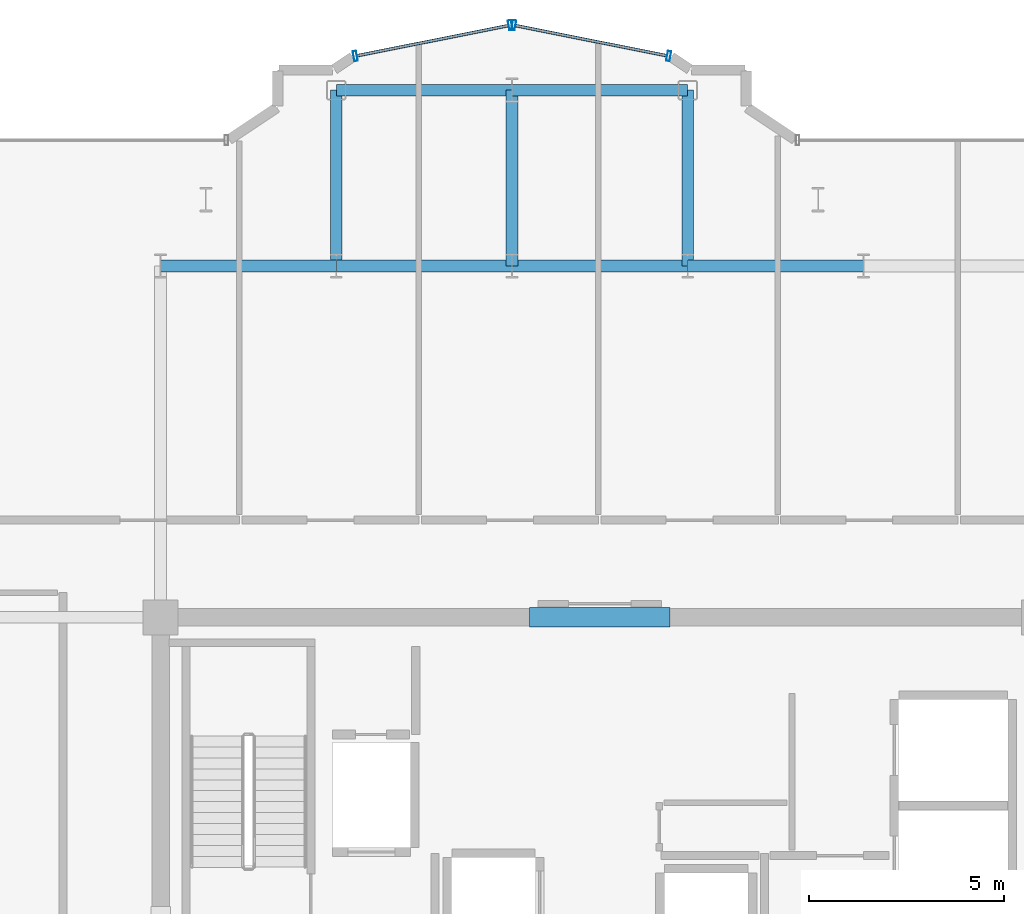
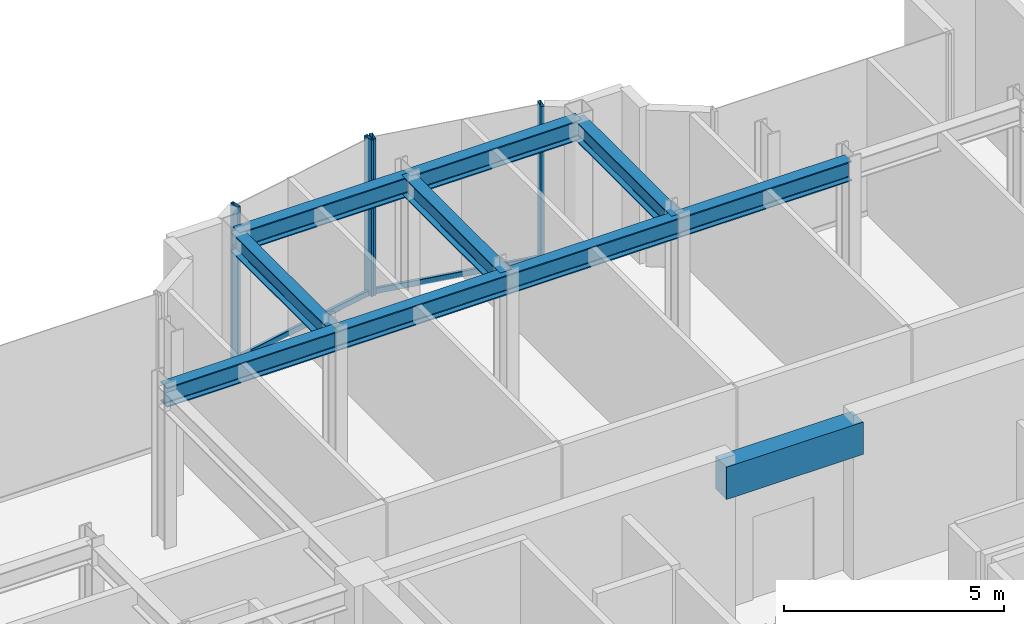
# One storey, part 10 of 18: 10 beams, 6 members, 2 elements without a shape of their own.
"""IFC4 building model written with IfcOpenShell, lengths in metres."""

from ifc_helpers import new_model, si_unit, direction, frame, origin, origin_2d, place, context, subcontext, project, spatial, rectangle, hollow_rectangle, i_section, extrude, source, transform, mapped, material, layer, layer_set, material_profile, profile_set, type_object, element, aggregate, save


model = new_model("IFC4")

# Units and contexts
model_context = context("Model", 3, precision=1e-05, world=origin(), true_north=direction((0.0, 1.0)))
body_context = subcontext(model_context, "Body", "Model", "MODEL_VIEW")
ifc_project = project(units=[si_unit("LENGTHUNIT", "METRE"), si_unit("AREAUNIT", "SQUARE_METRE"), si_unit("VOLUMEUNIT", "CUBIC_METRE"), si_unit("PLANEANGLEUNIT", "RADIAN"), si_unit("MASSUNIT", "GRAM", prefix="KILO")], contexts=[model_context])

# Site, building, storey
site_placement = place(None, origin())
site = spatial("IfcSite", under=ifc_project, at=site_placement, CompositionType="ELEMENT")
building_placement = place(site_placement, origin())
building = spatial("IfcBuilding", under=site, at=building_placement, Name="Nefas-Gora Pilgrimage Tower", CompositionType="ELEMENT")
storey_placement = place(building_placement, frame((0.0, 0.0, 317.800048828125)))
storey = spatial("IfcBuildingStorey", under=building, at=storey_placement, Name="L80", CompositionType="ELEMENT", Elevation=317.800048828125)

# Beams
ifc_material_1 = material(Name="Concrete C50/60", Category="concrete")
ifc_material_profile_1 = material_profile(ifc_material_1, rectangle(XDim=0.5, YDim=0.89990234375, at=origin_2d()), Name="RC 500x900")
ifc_profile_set_1 = profile_set([ifc_material_profile_1], Name="Concrete C50/60")
beam_type_1 = type_object("IfcBeamType", Name="BM-LIN-RC900", PredefinedType="LINTEL", material=ifc_profile_set_1)
shared_shape_1 = source(origin(), body_context, "Body", "SweptSolid", [
    extrude(rectangle(XDim=0.5, YDim=0.89990234375, at=origin_2d()), origin(), (0.0, 0.0, 1.0), 3.60009765625),
])
beam_placement = place(storey_placement, frame((-1.800048828125, 9.0, 3.89990234375), z_axis=(1.0, 0.0, 0.0), x_axis=(0.0, 1.0, 0.0)))
element("IfcBeam", 1, at=beam_placement, inside=storey, type_object=beam_type_1, Name="L80 Core Coupling Lintel Beam N", PredefinedType="LINTEL", context=body_context, shape_type="MappedRepresentation", body=[
    mapped(shared_shape_1, transform((0.0, 0.0, 0.0), x_axis=(1.0, 0.0, 0.0), y_axis=(0.0, 1.0, 0.0), z_axis=(0.0, 0.0, 1.0), scale=1.0)),
])
ifc_material_2 = material(Name="Steel S355", Category="steel")
ifc_material_profile_2 = material_profile(ifc_material_2, i_section(OverallWidth=0.300048828125, OverallDepth=0.550048828125, WebThickness=0.014892578125, FlangeThickness=0.029052734375, FilletRadius=0.027099609375, at=origin_2d()), Name="HEB 550")
ifc_profile_set_2 = profile_set([ifc_material_profile_2], Name="Steel S355")
beam_type_2 = type_object("IfcBeamType", Name="BM-GIR-HEB550", PredefinedType="BEAM", material=ifc_profile_set_2)
shared_shape_2 = source(origin(), body_context, "Body", "SweptSolid", [
    extrude(i_section(OverallWidth=0.300048828125, OverallDepth=0.550048828125, WebThickness=0.014892578125, FlangeThickness=0.029052734375, FilletRadius=0.027099609375, at=origin_2d()), origin(), (0.0, 0.0, 1.0), 4.5),
])
for number, where, z_axis, x_axis, name in (
    (2, (-11.25, 18.0, 4.074951171875), (1.0, 0.0, 0.0), (0.0, 1.0, 0.0), "L80 G-05 beam"),
    (3, (-6.75, 18.0, 4.074951171875), (0.0, 1.0, 0.0), (-1.0, 0.0, 0.0), "L80 G-05 beam"),
    (4, (-6.75, 18.0, 4.074951171875), (1.0, 0.0, 0.0), (0.0, 1.0, 0.0), "L80 G-05 beam"),
    (5, (-6.75, 22.5, 4.074951171875), (1.0, 0.0, 0.0), (0.0, 1.0, 0.0), "L80 G-05 beam"),
    (6, (-2.25, 18.0, 4.074951171875), (0.0, 1.0, 0.0), (-1.0, 0.0, 0.0), "L80 G-05 beam"),
    (7, (-2.25, 18.0, 4.074951171875), (1.0, 0.0, 0.0), (0.0, 1.0, 0.0), "L80 G-05 beam"),
    (8, (-2.25, 22.5, 4.074951171875), (1.0, 0.0, 0.0), (0.0, 1.0, 0.0), "L80 G-05 beam"),
    (9, (2.25, 18.0, 4.074951171875), (0.0, 1.0, 0.0), (-1.0, 0.0, 0.0), "L80 G-05 beam"),
    (10, (2.25, 18.0, 4.074951171875), (1.0, 0.0, 0.0), (0.0, 1.0, 0.0), "L80 G-05 beam"),
):
    element("IfcBeam", number, at=place(storey_placement, frame(where, z_axis=z_axis, x_axis=x_axis)), inside=storey, type_object=beam_type_2, Name=name, PredefinedType="BEAM", context=body_context, shape_type="MappedRepresentation", body=[
        mapped(shared_shape_2, transform((0.0, 0.0, 0.0), x_axis=(1.0, 0.0, 0.0), y_axis=(0.0, 1.0, 0.0), z_axis=(0.0, 0.0, 1.0), scale=1.0)),
    ])

# Curtain wall, member
ifc_material_3 = material(Name="Dark ceramic-fritted solar-control aluminium-glass curtain wall", Category="aluminium")
ifc_layer = layer(ifc_material_3, 0.219970703125)
ifc_layer_set = layer_set([ifc_layer], Name="Dark ceramic-fritted solar-control aluminium-glass curtain wall")
curtain_wall_type = type_object("IfcCurtainWallType", Name="CW-SYS-5", PredefinedType="NOTDEFINED", material=ifc_layer_set)
curtain_wall_1_placement = place(storey_placement, origin())
curtain_wall_1 = element("IfcCurtainWall", 11, at=curtain_wall_1_placement, inside=storey, type_object=curtain_wall_type, Name="L80 Unitised Curtain Wall CW5", PredefinedType="NOTDEFINED")
ifc_material_4 = material(Name="Anodised architectural aluminium", Category="aluminium")
ifc_material_profile_3 = material_profile(ifc_material_4, hollow_rectangle(XDim=0.080078125, YDim=0.159912109375, WallThickness=0.00439453125, InnerFilletRadius=0.00439453125, OuterFilletRadius=0.009033203125, at=origin_2d()), Name="ALU TRANSOM 80x160")
ifc_profile_set_3 = profile_set([ifc_material_profile_3], Name="Anodised architectural aluminium")
member_type_1 = type_object("IfcMemberType", Name="CWM-TRN-5", PredefinedType="USERDEFINED", material=ifc_profile_set_3)
shared_shape_3 = source(origin(), body_context, "Body", "SweptSolid", [
    extrude(hollow_rectangle(XDim=0.080078125, YDim=0.159912109375, WallThickness=0.00439453125, InnerFilletRadius=0.00439453125, OuterFilletRadius=0.009033203125, at=origin_2d()), origin(), (0.0, 0.0, 1.0), 3.95654296875),
])
member_1_placement = place(storey_placement, frame((1.718994140625, 23.3828125, 0.050048828125), z_axis=(-0.980781880918, 0.195107411605, 0.0), x_axis=(-0.195107411605, -0.980781880918, 0.0)))
member_1 = element("IfcMember", 12, at=member_1_placement, type_object=member_type_1, Name="CW5 Spandrel Transom", ObjectType="TRANSOM", PredefinedType="USERDEFINED", context=body_context, shape_type="MappedRepresentation", body=[
    mapped(shared_shape_3, transform((0.0, 0.0, 0.0), x_axis=(1.0, 0.0, 0.0), y_axis=(0.0, 1.0, 0.0), z_axis=(0.0, 0.0, 1.0), scale=1.0)),
])

curtain_wall_2_placement = place(storey_placement, origin())
curtain_wall_2 = element("IfcCurtainWall", 13, at=curtain_wall_2_placement, inside=storey, type_object=curtain_wall_type, Name="L80 Unitised Curtain Wall CW5", PredefinedType="NOTDEFINED")
member_2_placement = place(storey_placement, frame((-2.33837890625, 24.15478515625, 0.050048828125), z_axis=(-0.980781880918, -0.195107411605, 0.0), x_axis=(0.195107411605, -0.980781880918, 0.0)))
member_2 = element("IfcMember", 14, at=member_2_placement, type_object=member_type_1, Name="CW5 Spandrel Transom", ObjectType="TRANSOM", PredefinedType="USERDEFINED", context=body_context, shape_type="MappedRepresentation", body=[
    mapped(shared_shape_3, transform((0.0, 0.0, 0.0), x_axis=(1.0, 0.0, 0.0), y_axis=(0.0, 1.0, 0.0), z_axis=(0.0, 0.0, 1.0), scale=1.0)),
])

# Member
ifc_material_profile_4 = material_profile(ifc_material_4, hollow_rectangle(XDim=0.090087890625, YDim=0.260009765625, WallThickness=0.006103515625, InnerFilletRadius=0.006103515625, OuterFilletRadius=0.011962890625, at=origin_2d()), Name="ALU MULLION 90x260")
ifc_profile_set_4 = profile_set([ifc_material_profile_4], Name="Anodised architectural aluminium")
member_type_2 = type_object("IfcMemberType", Name="CWM-MUL-5", PredefinedType="MULLION", material=ifc_profile_set_4)
shared_shape_4 = source(origin(), body_context, "Body", "SweptSolid", [
    extrude(hollow_rectangle(XDim=0.090087890625, YDim=0.260009765625, WallThickness=0.006103515625, InnerFilletRadius=0.006103515625, OuterFilletRadius=0.011962890625, at=origin_2d()), origin(), (0.0, 0.0, 1.0), 4.349853515625),
])
member_3_placement = place(storey_placement, frame((1.76318359375, 23.3740234375, 0.0), z_axis=(0.0, 0.0, 1.0), x_axis=(-0.980782896852, 0.195102304554, 0.0)))
member_3 = element("IfcMember", 15, at=member_3_placement, type_object=member_type_2, Name="CW5 Mullion 1", PredefinedType="MULLION", context=body_context, shape_type="MappedRepresentation", body=[
    mapped(shared_shape_4, transform((0.0, 0.0, 0.0), x_axis=(1.0, 0.0, 0.0), y_axis=(0.0, 1.0, 0.0), z_axis=(0.0, 0.0, 1.0), scale=1.0)),
])

member_4_placement = place(storey_placement, frame((-2.205810546875, 24.16357421875, 0.0), z_axis=(0.0, 0.0, 1.0), x_axis=(-0.980782896852, 0.195102304554, 0.0)))
member_4 = element("IfcMember", 16, at=member_4_placement, type_object=member_type_2, Name="CW5 Mullion 2", PredefinedType="MULLION", context=body_context, shape_type="MappedRepresentation", body=[
    mapped(shared_shape_4, transform((0.0, 0.0, 0.0), x_axis=(1.0, 0.0, 0.0), y_axis=(0.0, 1.0, 0.0), z_axis=(0.0, 0.0, 1.0), scale=1.0)),
])

aggregate(curtain_wall_1, [member_3, member_4, member_1])

member_5_placement = place(storey_placement, frame((-2.294189453125, 24.16357421875, 0.0), z_axis=(0.0, 0.0, 1.0), x_axis=(-0.980782896852, -0.195102304554, 0.0)))
member_5 = element("IfcMember", 17, at=member_5_placement, type_object=member_type_2, Name="CW5 Mullion 1", PredefinedType="MULLION", context=body_context, shape_type="MappedRepresentation", body=[
    mapped(shared_shape_4, transform((0.0, 0.0, 0.0), x_axis=(1.0, 0.0, 0.0), y_axis=(0.0, 1.0, 0.0), z_axis=(0.0, 0.0, 1.0), scale=1.0)),
])

member_6_placement = place(storey_placement, frame((-6.26318359375, 23.3740234375, 0.0), z_axis=(0.0, 0.0, 1.0), x_axis=(-0.980782896852, -0.195102304554, 0.0)))
member_6 = element("IfcMember", 18, at=member_6_placement, type_object=member_type_2, Name="CW5 Mullion 2", PredefinedType="MULLION", context=body_context, shape_type="MappedRepresentation", body=[
    mapped(shared_shape_4, transform((0.0, 0.0, 0.0), x_axis=(1.0, 0.0, 0.0), y_axis=(0.0, 1.0, 0.0), z_axis=(0.0, 0.0, 1.0), scale=1.0)),
])

aggregate(curtain_wall_2, [member_5, member_6, member_2])

save(model, "model.ifc")
